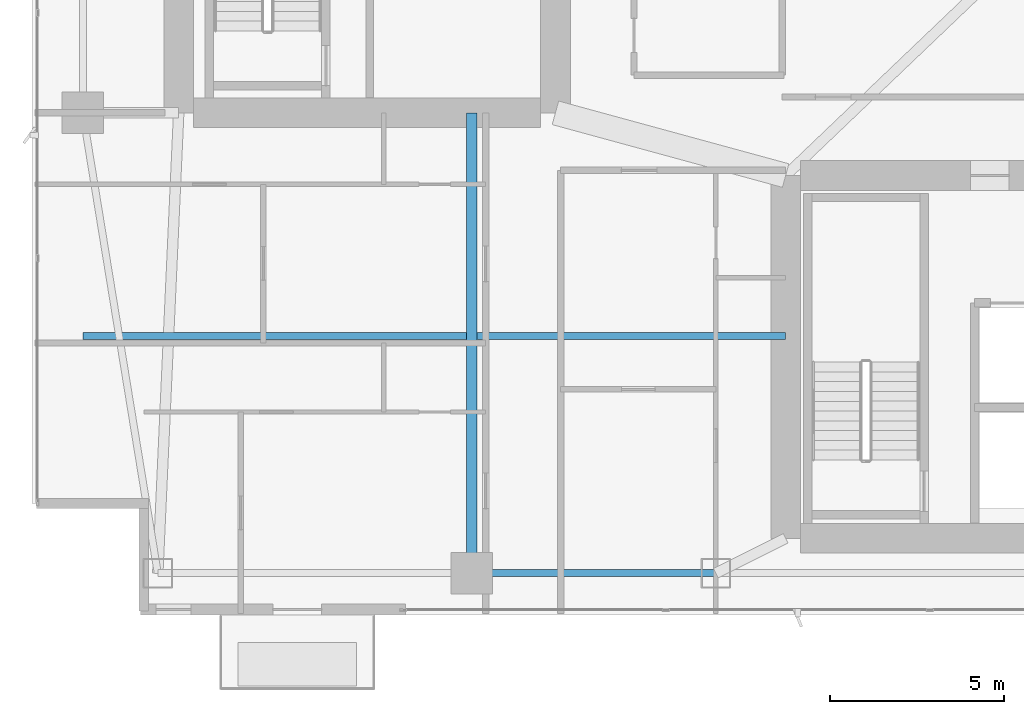
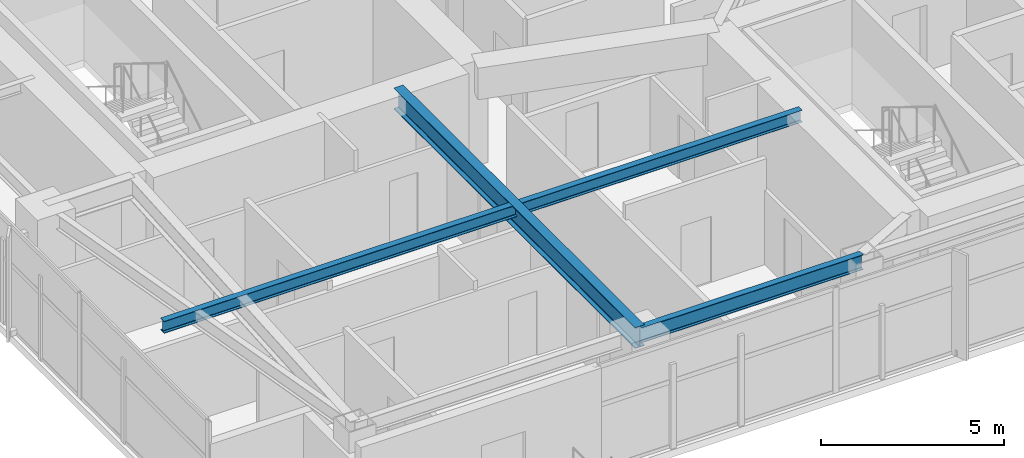
# One storey, part 5 of 28: 3 beams.
"""IFC4 building model written with IfcOpenShell, lengths in metres."""

from ifc_helpers import new_model, si_unit, direction, frame, origin, origin_2d, place, context, subcontext, project, spatial, i_section, extrude, material, material_profile, profile_set, type_object, element, save


model = new_model("IFC4")

# Units and contexts
model_context = context("Model", 3, precision=1e-05, world=origin(), true_north=direction((0.0, 1.0)))
body_context = subcontext(model_context, "Body", "Model", "MODEL_VIEW")
ifc_project = project(units=[si_unit("LENGTHUNIT", "METRE"), si_unit("AREAUNIT", "SQUARE_METRE"), si_unit("VOLUMEUNIT", "CUBIC_METRE"), si_unit("PLANEANGLEUNIT", "RADIAN"), si_unit("MASSUNIT", "GRAM", prefix="KILO")], contexts=[model_context])

# Site, building, storey
site_placement = place(None, origin())
site = spatial("IfcSite", under=ifc_project, at=site_placement, CompositionType="ELEMENT")
building_placement = place(site_placement, origin())
building = spatial("IfcBuilding", under=site, at=building_placement, Name="Calvorn Quay Hotel", CompositionType="ELEMENT")
storey_placement = place(building_placement, frame((0.0, 0.0, 135.39990234375)))
storey = spatial("IfcBuildingStorey", under=building, at=storey_placement, Name="L33", CompositionType="ELEMENT", Elevation=135.39990234375)

# Beams
ifc_material_1 = material(Name="Steel Q390GJC", Category="steel")
ifc_material_profile_1 = material_profile(ifc_material_1, i_section(OverallWidth=0.300048828125, OverallDepth=0.699951171875, WebThickness=0.012939453125, FlangeThickness=0.02392578125, FilletRadius=0.02392578125, at=origin_2d()), Name="HN700x300x13x24")
ifc_profile_set_1 = profile_set([ifc_material_profile_1], Name="Steel Q390GJC")
beam_type_1 = type_object("IfcBeamType", Name="BM-GIRD-MAIN", PredefinedType="BEAM", material=ifc_profile_set_1)
beam_1_placement = place(storey_placement, frame((12.60009765625, 3.60009765625, 3.170166015625), z_axis=(0.0, 1.0, 0.0), x_axis=(-1.0, 0.0, 0.0)))
element("IfcBeam", 1, at=beam_1_placement, inside=storey, type_object=beam_type_1, Name="Beam BG-L33-S1", PredefinedType="BEAM", context=body_context, shape_type="SweptSolid", body=[
    extrude(i_section(OverallWidth=0.300048828125, OverallDepth=0.699951171875, WebThickness=0.012939453125, FlangeThickness=0.02392578125, FilletRadius=0.02392578125, at=origin_2d()), origin(), (0.0, 0.0, 1.0), 13.199951171875),
])
ifc_material_2 = material(Name="Steel Q355B", Category="steel")
ifc_material_profile_2 = material_profile(ifc_material_2, i_section(OverallWidth=0.199951171875, OverallDepth=0.39990234375, WebThickness=0.008056640625, FlangeThickness=0.012939453125, FilletRadius=0.01611328125, at=origin_2d()), Name="HN400x200x8x13")
ifc_profile_set_2 = profile_set([ifc_material_profile_2], Name="Steel Q355B")
beam_type_2 = type_object("IfcBeamType", Name="BM-JOIST-TYP", PredefinedType="JOIST", material=ifc_profile_set_2)
beam_2_placement = place(storey_placement, frame((1.449951171875, 10.39990234375, 3.320068359375), z_axis=(1.0, 0.0, 0.0), x_axis=(0.0, 1.0, 0.0)))
element("IfcBeam", 2, at=beam_2_placement, inside=storey, type_object=beam_type_2, Name="Beam BJ-L33-W1", PredefinedType="JOIST", context=body_context, shape_type="SweptSolid", body=[
    extrude(i_section(OverallWidth=0.199951171875, OverallDepth=0.39990234375, WebThickness=0.008056640625, FlangeThickness=0.012939453125, FilletRadius=0.01611328125, at=origin_2d()), origin(), (0.0, 0.0, 1.0), 20.150146484375),
])
ifc_material_3 = material(Name="Steel Q355B", Category="steel")
ifc_material_profile_3 = material_profile(ifc_material_3, i_section(OverallWidth=0.199951171875, OverallDepth=0.5, WebThickness=0.010009765625, FlangeThickness=0.01611328125, FilletRadius=0.01611328125, at=origin_2d()), Name="HN500x200x10x16")
ifc_profile_set_3 = profile_set([ifc_material_profile_3], Name="Steel Q355B")
beam_type_3 = type_object("IfcBeamType", Name="BM-SPANDREL-Z1", PredefinedType="SPANDREL", material=ifc_profile_set_3)
beam_3_placement = place(storey_placement, frame((12.60009765625, 3.60009765625, 3.27001953125), z_axis=(1.0, 0.0, 0.0), x_axis=(0.0, 1.0, 0.0)))
element("IfcBeam", 3, at=beam_3_placement, inside=storey, type_object=beam_type_3, Name="Beam BSP-L33-S2", PredefinedType="SPANDREL", context=body_context, shape_type="SweptSolid", body=[
    extrude(i_section(OverallWidth=0.199951171875, OverallDepth=0.5, WebThickness=0.010009765625, FlangeThickness=0.01611328125, FilletRadius=0.01611328125, at=origin_2d()), origin(), (0.0, 0.0, 1.0), 7.0),
])

save(model, "model.ifc")
